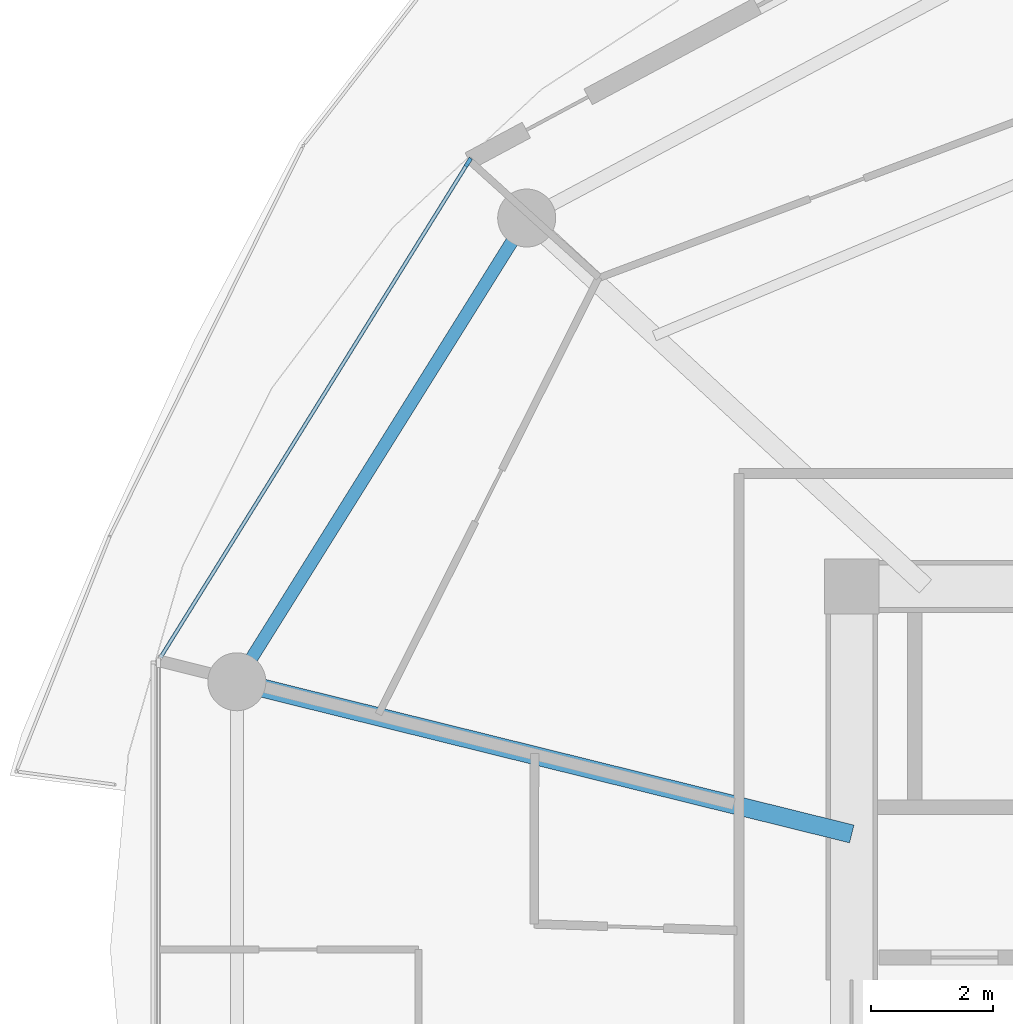
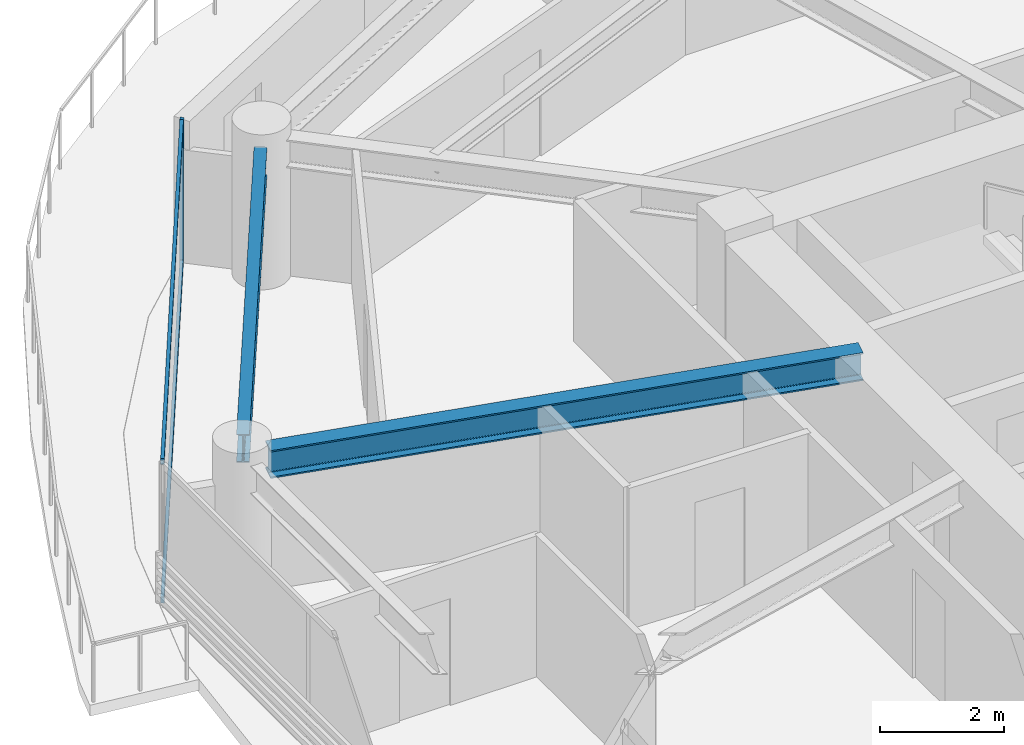
# One storey, part 8 of 26: 3 members, 2 beams, 1 element without a shape of its own.
"""IFC4 building model written with IfcOpenShell, lengths in metres."""

import ifcopenshell
import ifcopenshell.guid

model = None  # the IFC model being written
_history = None  # IfcOwnerHistory: only IFC2X3 demands one
_inside = {}  # id of a spatial element -> (the spatial element, [elements in it])
_under = {}  # id of a project, library or spatial element -> (it, [spatial elements below it])
_declared = {}  # id of a project -> (the project, [libraries it declares])
_typed = {}  # id of a type object -> (the type object, [elements of that type])
_made_of = {}  # id of a material, layer set ... -> (it, [elements and type objects made of it])


def new_model(schema):
    """Start an empty IFC model of exactly this schema.

    Asked for "IFC4X3", IfcOpenShell would pick the latest addendum, in which some entities
    have other attributes; the version numbers below select the first issue.
    IFC2X3 requires an IfcOwnerHistory on every rooted entity: one is made here for all.
    """
    global model, _history
    if schema == "IFC4X3":
        model = ifcopenshell.file(schema_version=(4, 3, 0, 0))
    else:
        model = ifcopenshell.file(schema=schema)
    _inside.clear()
    _under.clear()
    _declared.clear()
    _typed.clear()
    _made_of.clear()
    _history = None
    if model.schema == "IFC2X3":
        org = make("IfcOrganization", Name="unknown")
        user = make(
            "IfcPersonAndOrganization",
            ThePerson=make("IfcPerson", FamilyName="unknown"),
            TheOrganization=org,
        )
        app = make(
            "IfcApplication",
            ApplicationDeveloper=org,
            Version="unknown",
            ApplicationFullName="unknown",
            ApplicationIdentifier="unknown",
        )
        _history = make(
            "IfcOwnerHistory",
            OwningUser=user,
            OwningApplication=app,
            ChangeAction="ADDED",
            CreationDate=0,
        )
    return model


def make(cls, **values):
    """One entity of the class cls with the attributes given. An attribute that is None is left unset."""
    return model.create_entity(
        cls, **{name: value for name, value in values.items() if value is not None}
    )


def rooted(cls, **values):
    """An entity with a GlobalId (a new one), such as an element, a storey or a relation."""
    return make(cls, GlobalId=ifcopenshell.guid.new(), OwnerHistory=_history, **values)


def si_unit(unit_type, name, prefix=None):
    """IfcSIUnit, for example si_unit("LENGTHUNIT", "METRE", prefix="MILLI")."""
    return make("IfcSIUnit", UnitType=unit_type, Prefix=prefix, Name=name)


def assignment(units):
    """IfcUnitAssignment: the units of a project."""
    return None if units is None else make("IfcUnitAssignment", Units=units)


def point(xyz):
    """IfcCartesianPoint."""
    return None if xyz is None else make("IfcCartesianPoint", Coordinates=xyz)


def direction(xyz):
    """IfcDirection."""
    return None if xyz is None else make("IfcDirection", DirectionRatios=xyz)


def frame(location, z_axis=None, x_axis=None):
    """IfcAxis2Placement3D, a coordinate frame: its origin and axes. An axis left out is left unset."""
    return make(
        "IfcAxis2Placement3D",
        Location=point(location),
        Axis=direction(z_axis),
        RefDirection=direction(x_axis),
    )


def frame_2d(location, x_axis=None):
    """IfcAxis2Placement2D, a coordinate frame in the plane: its origin and x axis."""
    return make(
        "IfcAxis2Placement2D", Location=point(location), RefDirection=direction(x_axis)
    )


def origin():
    """The frame at (0, 0, 0) with its axes left unset."""
    return frame((0.0, 0.0, 0.0))


def origin_2d():
    """The frame at (0, 0) in the plane with its x axis left unset."""
    return frame_2d((0.0, 0.0))


def place(relative_to, where):
    """IfcLocalPlacement: puts the frame where relative to a parent placement (None: the world)."""
    return make(
        "IfcLocalPlacement", PlacementRelTo=relative_to, RelativePlacement=where
    )


def context(
    kind, dimensions, precision=None, world=None, true_north=None, identifier=None
):
    """IfcGeometricRepresentationContext, for example the 3D "Model" context."""
    return make(
        "IfcGeometricRepresentationContext",
        ContextIdentifier=identifier,
        ContextType=kind,
        CoordinateSpaceDimension=dimensions,
        Precision=precision,
        WorldCoordinateSystem=world,
        TrueNorth=true_north,
    )


def subcontext(parent, identifier, kind, view, scale=None):
    """IfcGeometricRepresentationSubContext, for example "Body" below "Model"."""
    return make(
        "IfcGeometricRepresentationSubContext",
        ContextIdentifier=identifier,
        ContextType=kind,
        ParentContext=parent,
        TargetScale=scale,
        TargetView=view,
    )


def project(units=None, contexts=None):
    """IfcProject with its units and contexts."""
    return rooted(
        "IfcProject",
        Name="project",
        RepresentationContexts=contexts,
        UnitsInContext=assignment(units),
    )


def spatial(cls, under=None, at=None, **own):
    """A site, building, storey or space (cls), placed at a placement, below another one or the project."""
    s = rooted(cls, ObjectPlacement=at, **own)
    if under is not None:
        _under.setdefault(under.id(), (under, []))[1].append(s)
    return s


def profile(cls, at=None, kind="AREA", **sizes):
    """A parametric profile (cls). Its sizes go by their IFC names, for example OverallWidth=200.0."""
    return make(cls, ProfileType=kind, Position=at, **sizes)


def rectangle(**sizes):
    """IfcRectangleProfileDef."""
    return profile("IfcRectangleProfileDef", **sizes)


def i_section(**sizes):
    """IfcIShapeProfileDef."""
    return profile("IfcIShapeProfileDef", **sizes)


def extrude(swept, where, along, depth):
    """IfcExtrudedAreaSolid: the profile swept, set in the frame where, extruded along a direction by depth."""
    return make(
        "IfcExtrudedAreaSolid",
        SweptArea=swept,
        Position=where,
        ExtrudedDirection=direction(along),
        Depth=depth,
    )


def shape(context_of_items, identifier, shape_type, items):
    """IfcShapeRepresentation: the items that make up one representation, for example the "Body"."""
    return make(
        "IfcShapeRepresentation",
        ContextOfItems=context_of_items,
        RepresentationIdentifier=identifier,
        RepresentationType=shape_type,
        Items=items,
    )


def source(mapping_origin, context_of_items, identifier, shape_type, items):
    """IfcRepresentationMap: a shape defined once, which mapped items show again and again."""
    return make(
        "IfcRepresentationMap",
        MappingOrigin=mapping_origin,
        MappedRepresentation=shape(context_of_items, identifier, shape_type, items),
    )


def transform(
    local_origin,
    x_axis=None,
    y_axis=None,
    z_axis=None,
    scale=None,
    scale2=None,
    scale3=None,
    uniform=True,
):
    """IfcCartesianTransformationOperator3D, or its non-uniform kind. x_axis, y_axis, z_axis: its Axis1, 2, 3."""
    if uniform:
        return make(
            "IfcCartesianTransformationOperator3D",
            Axis1=direction(x_axis),
            Axis2=direction(y_axis),
            LocalOrigin=point(local_origin),
            Scale=scale,
            Axis3=direction(z_axis),
        )
    return make(
        "IfcCartesianTransformationOperator3DnonUniform",
        Axis1=direction(x_axis),
        Axis2=direction(y_axis),
        LocalOrigin=point(local_origin),
        Scale=scale,
        Axis3=direction(z_axis),
        Scale2=scale2,
        Scale3=scale3,
    )


def mapped(mapping_source, mapping_target):
    """IfcMappedItem: shows the shape of a source again, moved by a transform."""
    return make(
        "IfcMappedItem", MappingSource=mapping_source, MappingTarget=mapping_target
    )


def material(Name=None, Category=None):
    """IfcMaterial."""
    return make("IfcMaterial", Name=Name, Category=Category)


def layer(
    of_material, thickness, ventilated=None, Name=None, Category=None, Priority=None
):
    """IfcMaterialLayer: one layer of a wall or slab, of a material (None: an air gap)."""
    return make(
        "IfcMaterialLayer",
        Material=of_material,
        LayerThickness=thickness,
        IsVentilated=ventilated,
        Name=Name,
        Category=Category,
        Priority=Priority,
    )


def layer_set(layers, Name=None):
    """IfcMaterialLayerSet."""
    return make("IfcMaterialLayerSet", MaterialLayers=layers, LayerSetName=Name)


def material_profile(
    of_material, cross_section, Name=None, Category=None, Priority=None
):
    """IfcMaterialProfile: a cross section and its material."""
    return make(
        "IfcMaterialProfile",
        Name=Name,
        Material=of_material,
        Profile=cross_section,
        Priority=Priority,
        Category=Category,
    )


def profile_set(profiles, Name=None, composite=None):
    """IfcMaterialProfileSet."""
    return make(
        "IfcMaterialProfileSet",
        Name=Name,
        MaterialProfiles=profiles,
        CompositeProfile=composite,
    )


def made_of(thing, what):
    """Note that an element or type object is made of a material, layer set ...; save() writes the relation."""
    if what is not None:
        _made_of.setdefault(what.id(), (what, []))[1].append(thing)
    return thing


def type_object(cls, material=None, **own):
    """A type object (cls), such as IfcWallType, which elements share."""
    return made_of(rooted(cls, **own), material)


def type_shapes(of_type, sources):
    """Give a type object the sources (RepresentationMaps) that its elements show as mapped items."""
    of_type.RepresentationMaps = sources


def element(
    cls,
    number,
    at=None,
    inside=None,
    cuts=None,
    type_object=None,
    material=None,
    context=None,
    identifier="Body",
    shape_type=None,
    held_by="IfcProductDefinitionShape",
    body=None,
    shapes=None,
    **own,
):
    """One element of the class cls, such as IfcWall. Its Tag is "e" and its number.

    at: its placement. inside: the storey or other place that contains it. cuts: it is an
    opening in that element (IfcRelVoidsElement). A single representation is given by context,
    identifier, shape_type and body (its items); several are given by shapes. held_by: the class
    of the entity that holds the representations. save() writes the other relations.
    """
    e = rooted(cls, Tag="e%d" % number, ObjectPlacement=at, **own)
    if body is not None:
        shapes = [shape(context, identifier, shape_type, body)]
    if shapes is not None:
        e.Representation = make(held_by, Representations=shapes)
    if inside is not None:
        _inside.setdefault(inside.id(), (inside, []))[1].append(e)
    if cuts is not None:
        rooted(
            "IfcRelVoidsElement", RelatingBuildingElement=cuts, RelatedOpeningElement=e
        )
    if type_object is not None:
        _typed.setdefault(type_object.id(), (type_object, []))[1].append(e)
    return made_of(e, material)


def aggregate(whole, parts):
    """IfcRelAggregates: a whole, such as a stair, and the parts it consists of."""
    return rooted("IfcRelAggregates", RelatingObject=whole, RelatedObjects=parts)


def save(model, path):
    """Write the relations noted so far, then the file.

    IfcRelAggregates (storeys below a building ...), IfcRelContainedInSpatialStructure (elements
    in a storey), IfcRelDefinesByType, IfcRelAssociatesMaterial and IfcRelDeclares: one each for
    every whole, place, type object, material and project.
    """
    for whole, parts in _under.values():
        aggregate(whole, parts)
    for where, things in _inside.values():
        rooted(
            "IfcRelContainedInSpatialStructure",
            RelatedElements=things,
            RelatingStructure=where,
        )
    for kind, things in _typed.values():
        rooted("IfcRelDefinesByType", RelatedObjects=things, RelatingType=kind)
    for what, things in _made_of.values():
        rooted("IfcRelAssociatesMaterial", RelatedObjects=things, RelatingMaterial=what)
    for by, libraries in _declared.values():
        rooted("IfcRelDeclares", RelatingContext=by, RelatedDefinitions=libraries)
    model.write(path)


model = new_model("IFC4")

# Units and contexts
model_context = context("Model", 3, precision=1e-05, world=origin(), true_north=direction((0.0, 1.0)))
body_context = subcontext(model_context, "Body", "Model", "MODEL_VIEW")
ifc_project = project(units=[si_unit("LENGTHUNIT", "METRE"), si_unit("AREAUNIT", "SQUARE_METRE"), si_unit("VOLUMEUNIT", "CUBIC_METRE"), si_unit("PLANEANGLEUNIT", "RADIAN"), si_unit("MASSUNIT", "GRAM", prefix="KILO")], contexts=[model_context])

# Site, building, storey
site_placement = place(None, origin())
site = spatial("IfcSite", under=ifc_project, at=site_placement, CompositionType="ELEMENT")
building_placement = place(site_placement, origin())
building = spatial("IfcBuilding", under=site, at=building_placement, Name="Norrkilde Senior Care Towers", CompositionType="ELEMENT")
storey_placement = place(building_placement, frame((0.0, 0.0, 64.300048828125)))
storey = spatial("IfcBuildingStorey", under=building, at=storey_placement, Name="L19", CompositionType="ELEMENT", Elevation=64.300048828125)

# Beams
ifc_material_1 = material(Name="Steel S355", Category="steel")
ifc_material_profile_1 = material_profile(ifc_material_1, i_section(OverallWidth=0.2099609375, OverallDepth=0.550048828125, WebThickness=0.010986328125, FlangeThickness=0.01708984375, FilletRadius=0.02392578125, at=origin_2d()), Name="IPE 550")
ifc_profile_set_1 = profile_set([ifc_material_profile_1], Name="Steel S355")
beam_type_1 = type_object("IfcBeamType", Name="Perimeter Ring Spandrel Z1 IPE550", PredefinedType="SPANDREL", material=ifc_profile_set_1)
shared_shape_1 = source(origin(), body_context, "Body", "SweptSolid", [
    extrude(i_section(OverallWidth=0.2099609375, OverallDepth=0.550048828125, WebThickness=0.010986328125, FlangeThickness=0.01708984375, FilletRadius=0.02392578125, at=origin_2d()), origin(), (0.0, 0.0, 1.0), 8.090576171875),
])
type_shapes(beam_type_1, [shared_shape_1])
beam_1_placement = place(storey_placement, frame((14.7939453125, 11.61669921875, 2.514892578125), z_axis=(-0.530004364821, -0.84799491347, 0.0), x_axis=(0.84799491347, -0.530004364821, 0.0)))
element("IfcBeam", 1, at=beam_1_placement, inside=storey, type_object=beam_type_1, Name="L19 Drum E Perimeter Spandrel 05", PredefinedType="SPANDREL", context=body_context, shape_type="MappedRepresentation", body=[
    mapped(shared_shape_1, transform((0.0, 0.0, 0.0), x_axis=(1.0, 0.0, 0.0), y_axis=(0.0, 1.0, 0.0), z_axis=(0.0, 0.0, 1.0), scale=1.0)),
])
ifc_material_profile_2 = material_profile(ifc_material_1, i_section(OverallWidth=0.300048828125, OverallDepth=0.550048828125, WebThickness=0.014892578125, FlangeThickness=0.029052734375, FilletRadius=0.027099609375, at=origin_2d()), Name="HEB 550")
ifc_profile_set_2 = profile_set([ifc_material_profile_2], Name="Steel S355")
beam_type_2 = type_object("IfcBeamType", Name="Radial Floor Beam Z1 HEB550", PredefinedType="BEAM", material=ifc_profile_set_2)
shared_shape_2 = source(origin(), body_context, "Body", "SweptSolid", [
    extrude(i_section(OverallWidth=0.300048828125, OverallDepth=0.550048828125, WebThickness=0.014892578125, FlangeThickness=0.029052734375, FilletRadius=0.027099609375, at=origin_2d()), origin(), (0.0, 0.0, 1.0), 9.94384765625),
])
type_shapes(beam_type_2, [shared_shape_2])
beam_2_placement = place(storey_placement, frame((20.35009765625, 1.893310546875, 2.514892578125), z_axis=(-0.970707425182, 0.240264634718, 0.0), x_axis=(-0.240264634718, -0.970707425182, 0.0)))
element("IfcBeam", 2, at=beam_2_placement, inside=storey, type_object=beam_type_2, Name="L19 Drum E Radial Floor Beam 06", PredefinedType="BEAM", context=body_context, shape_type="MappedRepresentation", body=[
    mapped(shared_shape_2, transform((0.0, 0.0, 0.0), x_axis=(1.0, 0.0, 0.0), y_axis=(0.0, 1.0, 0.0), z_axis=(0.0, 0.0, 1.0), scale=1.0)),
])

# Curtain wall, members
ifc_material_2 = material(Name="Triple Low-E Insulated Glazing", Category="glass")
ifc_layer = layer(ifc_material_2, 0.199951171875)
ifc_layer_set = layer_set([ifc_layer], Name="Triple Low-E Insulated Glazing")
curtain_wall_type = type_object("IfcCurtainWallType", Name="CW2 Zone 1 Memory Care Curtain Wall", PredefinedType="NOTDEFINED", material=ifc_layer_set)
curtain_wall_placement = place(storey_placement, origin())
curtain_wall = element("IfcCurtainWall", 3, at=curtain_wall_placement, inside=storey, type_object=curtain_wall_type, Name="L19 Drum E Curtain Wall 04", PredefinedType="NOTDEFINED")
ifc_material_3 = material(Name="Anodised Aluminium", Category="aluminium")
ifc_material_profile_3 = material_profile(ifc_material_3, rectangle(XDim=0.06494140625, YDim=0.159912109375, at=origin_2d()), Name="ALU MULL 65x160")
ifc_profile_set_3 = profile_set([ifc_material_profile_3], Name="Anodised Aluminium")
member_type_1 = type_object("IfcMemberType", Name="Curtain Wall Mullion Z1-Z2 65x160", PredefinedType="MULLION", material=ifc_profile_set_3)
shared_shape_3 = source(origin(), body_context, "Body", "SweptSolid", [
    extrude(rectangle(XDim=0.06494140625, YDim=0.159912109375, at=origin_2d()), origin(), (0.0, 0.0, 1.0), 2.7900390625),
])
type_shapes(member_type_1, [shared_shape_3])
member_1_placement = place(storey_placement, frame((14.06689453125, 12.898193359375, 0.0), z_axis=(0.0, 0.0, 1.0), x_axis=(-0.849305943117, 0.527900951871, 0.0)))
member_1 = element("IfcMember", 4, at=member_1_placement, type_object=member_type_1, Name="CW-2 mullion 2", PredefinedType="MULLION", context=body_context, shape_type="MappedRepresentation", body=[
    mapped(shared_shape_3, transform((0.0, 0.0, 0.0), x_axis=(1.0, 0.0, 0.0), y_axis=(0.0, 1.0, 0.0), z_axis=(0.0, 0.0, 1.0), scale=1.0)),
])
ifc_material_profile_4 = material_profile(ifc_material_3, rectangle(XDim=0.06005859375, YDim=0.1201171875, at=origin_2d()), Name="ALU TRAN 60x120")
ifc_profile_set_4 = profile_set([ifc_material_profile_4], Name="Anodised Aluminium")
member_type_2 = type_object("IfcMemberType", Name="Curtain Wall Transom Typical 60x120", PredefinedType="USERDEFINED", material=ifc_profile_set_4)
shared_shape_4 = source(origin(), body_context, "Body", "SweptSolid", [
    extrude(rectangle(XDim=0.06005859375, YDim=0.1201171875, at=origin_2d()), origin(), (0.0, 0.0, 1.0), 9.5185546875),
])
type_shapes(member_type_2, [shared_shape_4])
member_2_placement = place(storey_placement, frame((9.02490234375, 4.786376953125, 0.030029296875), z_axis=(0.527901620669, 0.849305527413, 0.0), x_axis=(-0.849305527413, 0.527901620669, 0.0)))
member_2 = element("IfcMember", 5, at=member_2_placement, type_object=member_type_2, Name="CW-2 transom 1.1", ObjectType="TRANSOM", PredefinedType="USERDEFINED", context=body_context, shape_type="MappedRepresentation", body=[
    mapped(shared_shape_4, transform((0.0, 0.0, 0.0), x_axis=(1.0, 0.0, 0.0), y_axis=(0.0, 1.0, 0.0), z_axis=(0.0, 0.0, 1.0), scale=1.0)),
])
member_3_placement = place(storey_placement, frame((9.02490234375, 4.786376953125, 2.760009765625), z_axis=(0.527901620669, 0.849305527413, 0.0), x_axis=(-0.849305527413, 0.527901620669, 0.0)))
member_3 = element("IfcMember", 6, at=member_3_placement, type_object=member_type_2, Name="CW-2 transom 1.2", ObjectType="TRANSOM", PredefinedType="USERDEFINED", context=body_context, shape_type="MappedRepresentation", body=[
    mapped(shared_shape_4, transform((0.0, 0.0, 0.0), x_axis=(1.0, 0.0, 0.0), y_axis=(0.0, 1.0, 0.0), z_axis=(0.0, 0.0, 1.0), scale=1.0)),
])
aggregate(curtain_wall, [member_1, member_2, member_3])

save(model, "model.ifc")
